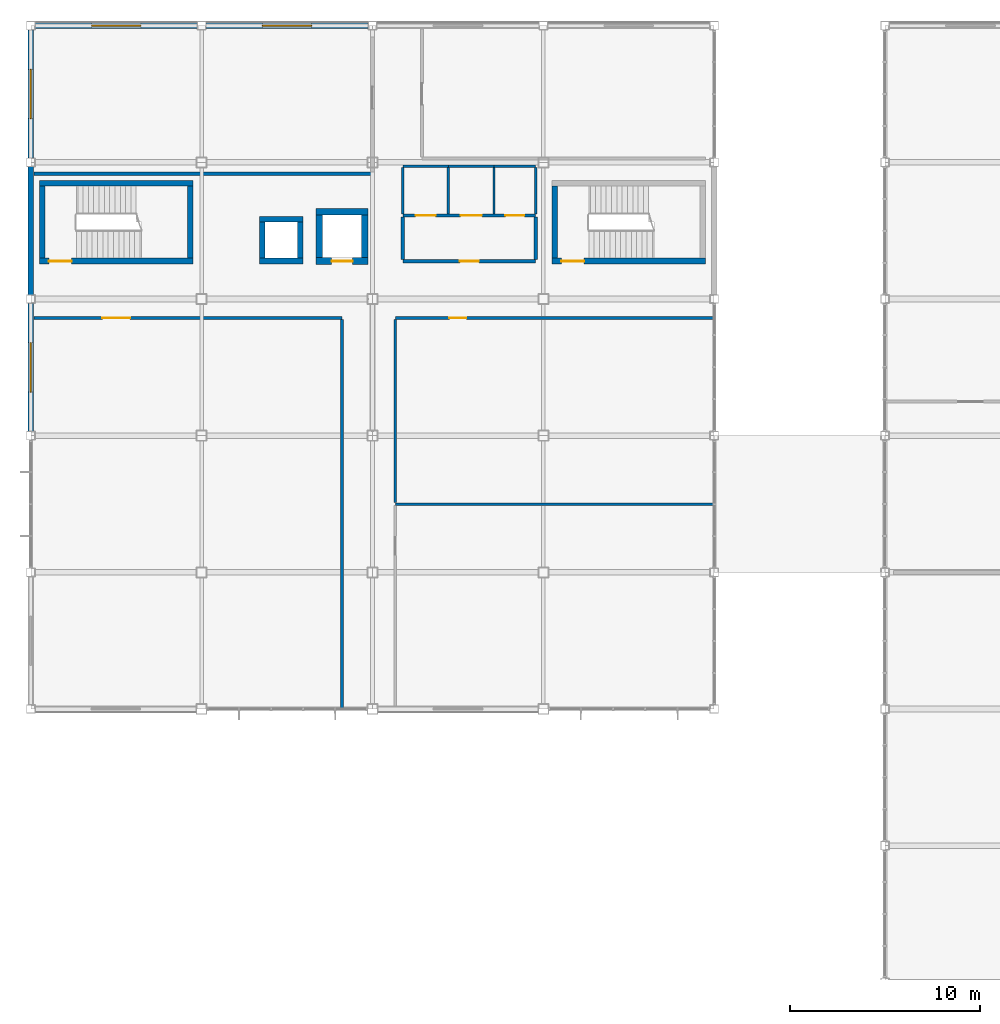
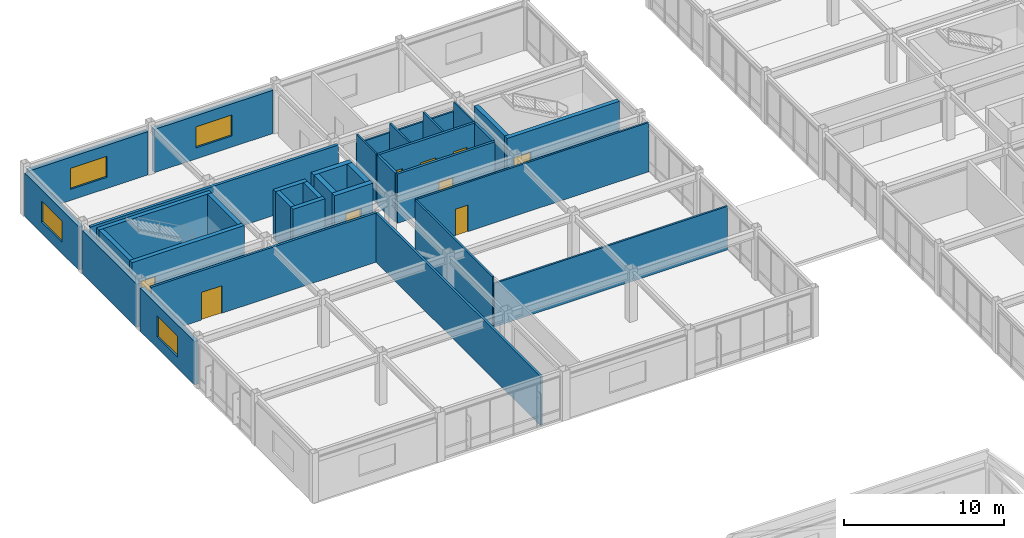
# One storey, part 95 of 113: 36 walls, 9 doors, 4 windows, 13 openings.
"""IFC4 building model written with IfcOpenShell, lengths in metres."""

from ifc_helpers import new_model, si_unit, direction, frame, frame_2d, origin, place, context, subcontext, project, spatial, rectangle, extrude, material, layer, layer_set, type_object, element, fill, save


model = new_model("IFC4")

# Units and contexts
model_context = context("Model", 3, precision=1e-05, world=origin(), true_north=direction((0.0, 1.0)))
body_context = subcontext(model_context, "Body", "Model", "MODEL_VIEW")
ifc_project = project(units=[si_unit("LENGTHUNIT", "METRE"), si_unit("AREAUNIT", "SQUARE_METRE"), si_unit("VOLUMEUNIT", "CUBIC_METRE"), si_unit("PLANEANGLEUNIT", "RADIAN"), si_unit("MASSUNIT", "GRAM", prefix="KILO")], contexts=[model_context])

# Site, building, storey
site_placement = place(None, origin())
site = spatial("IfcSite", under=ifc_project, at=site_placement, CompositionType="ELEMENT")
building_placement = place(site_placement, origin())
building = spatial("IfcBuilding", under=site, at=building_placement, Name="Kazanami Central Library", CompositionType="ELEMENT")
storey_placement = place(building_placement, frame((0.0, 0.0, 8.800048828125)))
storey = spatial("IfcBuildingStorey", under=building, at=storey_placement, Name="L03", CompositionType="ELEMENT", Elevation=8.800048828125)

# Wall, opening, window
ifc_material_1 = material(Name="Concrete Fc36 (36 MPa)", Category="concrete")
ifc_layer_1 = layer(ifc_material_1, 0.219970703125, Name="Concrete Fc36 (36 MPa)")
ifc_material_2 = material(Name="Extruded Polystyrene XPS", Category="earth")
ifc_layer_2 = layer(ifc_material_2, 0.050048828125, Name="Extruded Polystyrene XPS")
ifc_material_3 = material(Name="Honed Inada Granite", Category="masonry")
ifc_layer_3 = layer(ifc_material_3, 0.030029296875, Name="Honed Inada Granite")
ifc_layer_set_1 = layer_set([ifc_layer_1, ifc_layer_2, ifc_layer_3], Name="Concrete Fc36 (36 MPa)")
wall_type_1 = type_object("IfcWallType", Name="WAL-EW-300", PredefinedType="STANDARD", material=ifc_layer_set_1)
wall_1_placement = place(storey_placement, frame((0.0, 72.22509765625, 0.0), z_axis=(0.0, 0.0, 1.0), x_axis=(0.0, 1.0, 0.0)))
wall_1 = element("IfcWall", 1, at=wall_1_placement, inside=storey, type_object=wall_type_1, Name="Exterior Facade Wall EW-300 L03 W-1-10", PredefinedType="STANDARD", context=body_context, shape_type="SweptSolid", body=[
    extrude(rectangle(XDim=6.75, YDim=0.300048828125, at=frame_2d((3.375, 0.0))), origin(), (0.0, 0.0, 1.0), 3.294921875),
])
opening_1_placement = place(wall_1_placement, frame((2.074951171875, 0.0, 0.85009765625)))
opening_1 = element("IfcOpeningElement", 2, at=opening_1_placement, cuts=wall_1, Name="Opening WN-13", PredefinedType="OPENING", context=body_context, shape_type="SweptSolid", body=[
    extrude(rectangle(XDim=2.60009765625, YDim=1.60009765625, at=frame_2d((1.300048828125, 0.800048828125))), frame((0.0, 0.162109375, 0.0), z_axis=(0.0, -1.0, 0.0), x_axis=(1.0, 0.0, 0.0)), (0.0, 0.0, 1.0), 0.323974609375),
])
ifc_material_4 = material(Name="Low-E Insulated Triple Glass", Category="glass")
window_type = type_object("IfcWindowType", Name="WIN-WN-13", PartitioningType="DOUBLE_PANEL_VERTICAL", PredefinedType="WINDOW", material=ifc_material_4)
window_1_placement = place(opening_1_placement, origin())
window_1 = element("IfcWindow", 3, at=window_1_placement, inside=storey, type_object=window_type, Name="Facade Window WN-13 L03 W-1-10", OverallHeight=1.60009765625, OverallWidth=2.60009765625, PartitioningType="DOUBLE_PANEL_VERTICAL", PredefinedType="WINDOW", context=body_context, shape_type="SweptSolid", body=[
    extrude(rectangle(XDim=2.60009765625, YDim=1.60009765625, at=frame_2d((1.300048828125, 0.800048828125))), frame((0.0, 0.030029296875, 0.0), z_axis=(0.0, -1.0, 0.0), x_axis=(1.0, 0.0, 0.0)), (0.0, 0.0, 1.0), 0.06005859375),
])
fill(opening_1, window_1)

# Wall
wall_2_placement = place(storey_placement, frame((0.0, 79.425048828125, 0.0), z_axis=(0.0, 0.0, 1.0), x_axis=(0.0, 1.0, 0.0)))
element("IfcWall", 4, at=wall_2_placement, inside=storey, type_object=wall_type_1, Name="Exterior Facade Wall EW-300 L03 W-1-11", PredefinedType="STANDARD", context=body_context, shape_type="SweptSolid", body=[
    extrude(rectangle(XDim=6.75, YDim=0.300048828125, at=frame_2d((3.375, 0.0))), origin(), (0.0, 0.0, 1.0), 3.294921875),
])

# Wall, opening, window
wall_3_placement = place(storey_placement, frame((0.0, 86.625, 0.0), z_axis=(0.0, 0.0, 1.0), x_axis=(0.0, 1.0, 0.0)))
wall_3 = element("IfcWall", 5, at=wall_3_placement, inside=storey, type_object=wall_type_1, Name="Exterior Facade Wall EW-300 L03 W-1-12", PredefinedType="STANDARD", context=body_context, shape_type="SweptSolid", body=[
    extrude(rectangle(XDim=6.75, YDim=0.300048828125, at=frame_2d((3.375, 0.0))), origin(), (0.0, 0.0, 1.0), 3.294921875),
])
opening_2_placement = place(wall_3_placement, frame((2.074951171875, 0.0, 0.85009765625)))
opening_2 = element("IfcOpeningElement", 6, at=opening_2_placement, cuts=wall_3, Name="Opening WN-13", PredefinedType="OPENING", context=body_context, shape_type="SweptSolid", body=[
    extrude(rectangle(XDim=2.60009765625, YDim=1.60009765625, at=frame_2d((1.300048828125, 0.800048828125))), frame((0.0, 0.162109375, 0.0), z_axis=(0.0, -1.0, 0.0), x_axis=(1.0, 0.0, 0.0)), (0.0, 0.0, 1.0), 0.323974609375),
])
window_2_placement = place(opening_2_placement, origin())
window_2 = element("IfcWindow", 7, at=window_2_placement, inside=storey, type_object=window_type, Name="Facade Window WN-13 L03 W-1-12", OverallHeight=1.60009765625, OverallWidth=2.60009765625, PartitioningType="DOUBLE_PANEL_VERTICAL", PredefinedType="WINDOW", context=body_context, shape_type="SweptSolid", body=[
    extrude(rectangle(XDim=2.60009765625, YDim=1.60009765625, at=frame_2d((1.300048828125, 0.800048828125))), frame((0.0, 0.030029296875, 0.0), z_axis=(0.0, -1.0, 0.0), x_axis=(1.0, 0.0, 0.0)), (0.0, 0.0, 1.0), 0.06005859375),
])
fill(opening_2, window_2)

ifc_layer_4 = layer(ifc_material_1, 0.239990234375, Name="Concrete Fc36 (36 MPa)")
ifc_layer_5 = layer(ifc_material_2, 0.050048828125, Name="Extruded Polystyrene XPS")
ifc_layer_6 = layer(ifc_material_3, 0.030029296875, Name="Honed Inada Granite")
ifc_layer_set_2 = layer_set([ifc_layer_4, ifc_layer_5, ifc_layer_6], Name="Concrete Fc36 (36 MPa)")
wall_type_2 = type_object("IfcWallType", Name="WAL-EW-320", PredefinedType="STANDARD", material=ifc_layer_set_2)
wall_4_placement = place(storey_placement, frame((8.77490234375, 93.60009765625, 0.0), z_axis=(0.0, 0.0, 1.0), x_axis=(-1.0, 0.0, 0.0)))
wall_4 = element("IfcWall", 8, at=wall_4_placement, inside=storey, type_object=wall_type_2, Name="Exterior Facade Wall EW-320 L03 N-O-00", PredefinedType="STANDARD", context=body_context, shape_type="SweptSolid", body=[
    extrude(rectangle(XDim=8.5498046875, YDim=0.320068359375, at=frame_2d((4.27490234375, 0.0))), origin(), (0.0, 0.0, 1.0), 3.294921875),
])
opening_3_placement = place(wall_4_placement, frame((2.97509765625, 0.0, 0.85009765625)))
opening_3 = element("IfcOpeningElement", 9, at=opening_3_placement, cuts=wall_4, Name="Opening WN-13", PredefinedType="OPENING", context=body_context, shape_type="SweptSolid", body=[
    extrude(rectangle(XDim=2.60009765625, YDim=1.60009765625, at=frame_2d((1.300048828125, 0.800048828125))), frame((0.0, 0.171875, 0.0), z_axis=(0.0, -1.0, 0.0), x_axis=(1.0, 0.0, 0.0)), (0.0, 0.0, 1.0), 0.343994140625),
])
window_3_placement = place(opening_3_placement, origin())
window_3 = element("IfcWindow", 10, at=window_3_placement, inside=storey, type_object=window_type, Name="Facade Window WN-13 L03 N-O-00", OverallHeight=1.60009765625, OverallWidth=2.60009765625, PartitioningType="DOUBLE_PANEL_VERTICAL", PredefinedType="WINDOW", context=body_context, shape_type="SweptSolid", body=[
    extrude(rectangle(XDim=2.60009765625, YDim=1.60009765625, at=frame_2d((1.300048828125, 0.800048828125))), frame((0.0, 0.030029296875, 0.0), z_axis=(0.0, -1.0, 0.0), x_axis=(1.0, 0.0, 0.0)), (0.0, 0.0, 1.0), 0.06005859375),
])
fill(opening_3, window_3)

wall_5_placement = place(storey_placement, frame((17.77490234375, 93.60009765625, 0.0), z_axis=(0.0, 0.0, 1.0), x_axis=(-1.0, 0.0, 0.0)))
wall_5 = element("IfcWall", 11, at=wall_5_placement, inside=storey, type_object=wall_type_2, Name="Exterior Facade Wall EW-320 L03 N-O-01", PredefinedType="STANDARD", context=body_context, shape_type="SweptSolid", body=[
    extrude(rectangle(XDim=8.5498046875, YDim=0.320068359375, at=frame_2d((4.27490234375, 0.0))), origin(), (0.0, 0.0, 1.0), 3.294921875),
])
opening_4_placement = place(wall_5_placement, frame((2.97509765625, 0.0, 0.85009765625)))
opening_4 = element("IfcOpeningElement", 12, at=opening_4_placement, cuts=wall_5, Name="Opening WN-13", PredefinedType="OPENING", context=body_context, shape_type="SweptSolid", body=[
    extrude(rectangle(XDim=2.60009765625, YDim=1.60009765625, at=frame_2d((1.300048828125, 0.800048828125))), frame((0.0, 0.171875, 0.0), z_axis=(0.0, -1.0, 0.0), x_axis=(1.0, 0.0, 0.0)), (0.0, 0.0, 1.0), 0.343994140625),
])
window_4_placement = place(opening_4_placement, origin())
window_4 = element("IfcWindow", 13, at=window_4_placement, inside=storey, type_object=window_type, Name="Facade Window WN-13 L03 N-O-01", OverallHeight=1.60009765625, OverallWidth=2.60009765625, PartitioningType="DOUBLE_PANEL_VERTICAL", PredefinedType="WINDOW", context=body_context, shape_type="SweptSolid", body=[
    extrude(rectangle(XDim=2.60009765625, YDim=1.60009765625, at=frame_2d((1.300048828125, 0.800048828125))), frame((0.0, 0.030029296875, 0.0), z_axis=(0.0, -1.0, 0.0), x_axis=(1.0, 0.0, 0.0)), (0.0, 0.0, 1.0), 0.06005859375),
])
fill(opening_4, window_4)

# Wall, opening, door
ifc_material_5 = material(Name="Fire-Resistant Gypsum Board GB-F", Category="gypsum")
ifc_layer_7 = layer(ifc_material_5, 0.1650390625, Name="Fire-Resistant Gypsum Board GB-F")
ifc_layer_set_3 = layer_set([ifc_layer_7], Name="Fire-Resistant Gypsum Board GB-F")
wall_type_3 = type_object("IfcWallType", Name="WAL-FW-165", PredefinedType="PARTITIONING", material=ifc_layer_set_3)
wall_6_placement = place(storey_placement, frame((0.155029296875, 78.199951171875, 0.0), z_axis=(0.0, 0.0, 1.0), x_axis=(1.0, 0.0, 0.0)))
wall_6 = element("IfcWall", 14, at=wall_6_placement, inside=storey, type_object=wall_type_3, Name="Interior Partition FW-165 L03 RM-15 (North)", PredefinedType="PARTITIONING", context=body_context, shape_type="SweptSolid", body=[
    extrude(rectangle(XDim=16.244873046875, YDim=0.1650390625, at=frame_2d((8.12255859375, 0.0))), origin(), (0.0, 0.0, 1.0), 3.744873046875),
])
opening_5_placement = place(wall_6_placement, frame((3.6201171875, 0.0, 0.0)))
opening_5 = element("IfcOpeningElement", 15, at=opening_5_placement, cuts=wall_6, Name="Opening FD30-6", PredefinedType="OPENING", context=body_context, shape_type="SweptSolid", body=[
    extrude(rectangle(XDim=1.449951171875, YDim=2.10009765625, at=frame_2d((0.72509765625, 1.050048828125))), frame((0.0, 0.094482421875, 0.0), z_axis=(0.0, -1.0, 0.0), x_axis=(1.0, 0.0, 0.0)), (0.0, 0.0, 1.0), 0.18896484375),
])
ifc_material_6 = material(Name="Cold-Rolled Steel SPCC", Category="steel")
door_type_1 = type_object("IfcDoorType", Name="DOR-FD30-6", OperationType="DOUBLE_DOOR_SINGLE_SWING", PredefinedType="DOOR", material=ifc_material_6)
door_1_placement = place(opening_5_placement, origin())
door_1 = element("IfcDoor", 16, at=door_1_placement, inside=storey, type_object=door_type_1, Name="Interior Door FD30-6 L03 RM-15", OperationType="DOUBLE_DOOR_SINGLE_SWING", OverallHeight=2.10009765625, OverallWidth=1.449951171875, PredefinedType="DOOR", context=body_context, shape_type="SweptSolid", body=[
    extrude(rectangle(XDim=1.449951171875, YDim=2.10009765625, at=frame_2d((0.72509765625, 1.050048828125))), frame((0.0, 0.02490234375, 0.0), z_axis=(0.0, -1.0, 0.0), x_axis=(1.0, 0.0, 0.0)), (0.0, 0.0, 1.0), 0.050048828125),
])
fill(opening_5, door_1)

# Wall
wall_7_placement = place(storey_placement, frame((16.39990234375, 57.635009765625, 0.0), z_axis=(0.0, 0.0, 1.0), x_axis=(0.0, 1.0, 0.0)))
element("IfcWall", 17, at=wall_7_placement, inside=storey, type_object=wall_type_3, Name="Interior Partition FW-165 L03 RM-15 (East)", PredefinedType="PARTITIONING", context=body_context, shape_type="SweptSolid", body=[
    extrude(rectangle(XDim=20.47509765625, YDim=0.1650390625, at=frame_2d((10.237548828125, 0.0))), origin(), (0.0, 0.0, 1.0), 3.744873046875),
])

# Wall, opening, door
ifc_layer_8 = layer(ifc_material_5, 0.179931640625, Name="Fire-Resistant Gypsum Board GB-F")
ifc_layer_set_4 = layer_set([ifc_layer_8], Name="Fire-Resistant Gypsum Board GB-F")
wall_type_4 = type_object("IfcWallType", Name="WAL-FW-180", PredefinedType="PARTITIONING", material=ifc_layer_set_4)
wall_8_placement = place(storey_placement, frame((19.60009765625, 81.199951171875, 0.0), z_axis=(0.0, 0.0, 1.0), x_axis=(1.0, 0.0, 0.0)))
wall_8 = element("IfcWall", 18, at=wall_8_placement, inside=storey, type_object=wall_type_4, Name="Interior Partition FW-180 L03 WC-V4-LOB (South)", PredefinedType="PARTITIONING", context=body_context, shape_type="SweptSolid", body=[
    extrude(rectangle(XDim=7.0, YDim=0.179931640625, at=frame_2d((3.5, 0.0))), origin(), (0.0, 0.0, 1.0), 3.744873046875),
])
opening_6_placement = place(wall_8_placement, frame((3.0, 0.0, 0.0)))
opening_6 = element("IfcOpeningElement", 19, at=opening_6_placement, cuts=wall_8, Name="Opening FD30-2", PredefinedType="OPENING", context=body_context, shape_type="SweptSolid", body=[
    extrude(rectangle(XDim=1.0, YDim=2.080078125, at=frame_2d((0.5, 1.0400390625))), frame((0.0, 0.10205078125, 0.0), z_axis=(0.0, -1.0, 0.0), x_axis=(1.0, 0.0, 0.0)), (0.0, 0.0, 1.0), 0.203857421875),
])
door_type_2 = type_object("IfcDoorType", Name="DOR-FD30-2", OperationType="NOTDEFINED", PredefinedType="DOOR", material=ifc_material_6)
door_2_placement = place(opening_6_placement, origin())
door_2 = element("IfcDoor", 20, at=door_2_placement, inside=storey, type_object=door_type_2, Name="Interior Door FD30-2 L03 WC-V4-LOB", OperationType="SINGLE_SWING_RIGHT", OverallHeight=2.080078125, OverallWidth=1.0, PredefinedType="DOOR", context=body_context, shape_type="SweptSolid", body=[
    extrude(rectangle(XDim=1.0, YDim=2.080078125, at=frame_2d((0.5, 1.0400390625))), frame((0.0, 0.02490234375, 0.0), z_axis=(0.0, -1.0, 0.0), x_axis=(1.0, 0.0, 0.0)), (0.0, 0.0, 1.0), 0.050048828125),
])
fill(opening_6, door_2)

# Wall, openings, doors
wall_9_placement = place(storey_placement, frame((19.60009765625, 83.60009765625, 0.0), z_axis=(0.0, 0.0, 1.0), x_axis=(1.0, 0.0, 0.0)))
wall_9 = element("IfcWall", 21, at=wall_9_placement, inside=storey, type_object=wall_type_4, Name="Interior Partition FW-180 L03 WC-V4-LOB (North)", PredefinedType="PARTITIONING", context=body_context, shape_type="SweptSolid", body=[
    extrude(rectangle(XDim=7.0, YDim=0.179931640625, at=frame_2d((3.5, 0.0))), origin(), (0.0, 0.0, 1.0), 3.744873046875),
])
opening_7_placement = place(wall_9_placement, frame((0.675048828125, 0.0, 0.0)))
opening_7 = element("IfcOpeningElement", 22, at=opening_7_placement, cuts=wall_9, Name="Opening FD30-1", PredefinedType="OPENING", context=body_context, shape_type="SweptSolid", body=[
    extrude(rectangle(XDim=1.050048828125, YDim=2.10009765625, at=frame_2d((0.52490234375, 1.050048828125))), frame((0.0, 0.10205078125, 0.0), z_axis=(0.0, -1.0, 0.0), x_axis=(1.0, 0.0, 0.0)), (0.0, 0.0, 1.0), 0.203857421875),
])
opening_8_placement = place(wall_9_placement, frame((3.0400390625, 0.0, 0.0)))
opening_8 = element("IfcOpeningElement", 23, at=opening_8_placement, cuts=wall_9, Name="Opening FD30-8", PredefinedType="OPENING", context=body_context, shape_type="SweptSolid", body=[
    extrude(rectangle(XDim=1.1201171875, YDim=2.080078125, at=frame_2d((0.56005859375, 1.0400390625))), frame((0.0, 0.10205078125, 0.0), z_axis=(0.0, -1.0, 0.0), x_axis=(1.0, 0.0, 0.0)), (0.0, 0.0, 1.0), 0.203857421875),
])
opening_9_placement = place(wall_9_placement, frame((5.39990234375, 0.0, 0.0)))
opening_9 = element("IfcOpeningElement", 24, at=opening_9_placement, cuts=wall_9, Name="Opening FD30-2", PredefinedType="OPENING", context=body_context, shape_type="SweptSolid", body=[
    extrude(rectangle(XDim=1.0, YDim=2.080078125, at=frame_2d((0.5, 1.0400390625))), frame((0.0, 0.10205078125, 0.0), z_axis=(0.0, -1.0, 0.0), x_axis=(1.0, 0.0, 0.0)), (0.0, 0.0, 1.0), 0.203857421875),
])
door_type_3 = type_object("IfcDoorType", Name="DOR-FD30-1", OperationType="NOTDEFINED", PredefinedType="DOOR", material=ifc_material_6)
door_3_placement = place(opening_7_placement, origin())
door_3 = element("IfcDoor", 25, at=door_3_placement, inside=storey, type_object=door_type_3, Name="Interior Door FD30-1 L03 WC-V4-M", OperationType="SINGLE_SWING_LEFT", OverallHeight=2.10009765625, OverallWidth=1.050048828125, PredefinedType="DOOR", context=body_context, shape_type="SweptSolid", body=[
    extrude(rectangle(XDim=1.050048828125, YDim=2.10009765625, at=frame_2d((0.52490234375, 1.050048828125))), frame((0.0, 0.02490234375, 0.0), z_axis=(0.0, -1.0, 0.0), x_axis=(1.0, 0.0, 0.0)), (0.0, 0.0, 1.0), 0.050048828125),
])
fill(opening_7, door_3)
door_4_placement = place(opening_9_placement, origin())
door_4 = element("IfcDoor", 26, at=door_4_placement, inside=storey, type_object=door_type_2, Name="Interior Door FD30-2 L03 WC-V4-ACC", OperationType="SINGLE_SWING_LEFT", OverallHeight=2.080078125, OverallWidth=1.0, PredefinedType="DOOR", context=body_context, shape_type="SweptSolid", body=[
    extrude(rectangle(XDim=1.0, YDim=2.080078125, at=frame_2d((0.5, 1.0400390625))), frame((0.0, 0.02490234375, 0.0), z_axis=(0.0, -1.0, 0.0), x_axis=(1.0, 0.0, 0.0)), (0.0, 0.0, 1.0), 0.050048828125),
])
fill(opening_9, door_4)
door_type_4 = type_object("IfcDoorType", Name="DOR-FD30-8", OperationType="NOTDEFINED", PredefinedType="DOOR", material=ifc_material_6)
door_5_placement = place(opening_8_placement, origin())
door_5 = element("IfcDoor", 27, at=door_5_placement, inside=storey, type_object=door_type_4, Name="Interior Door FD30-8 L03 WC-V4-F", OperationType="SINGLE_SWING_RIGHT", OverallHeight=2.080078125, OverallWidth=1.1201171875, PredefinedType="DOOR", context=body_context, shape_type="SweptSolid", body=[
    extrude(rectangle(XDim=1.1201171875, YDim=2.080078125, at=frame_2d((0.56005859375, 1.0400390625))), frame((0.0, 0.02490234375, 0.0), z_axis=(0.0, -1.0, 0.0), x_axis=(1.0, 0.0, 0.0)), (0.0, 0.0, 1.0), 0.050048828125),
])
fill(opening_8, door_5)

# Walls
for number, where, z_axis, x_axis, name in (
    (28, (19.60009765625, 81.2900390625, 0.0), (0.0, 0.0, 1.0), (0.0, 1.0, 0.0), "Interior Partition FW-180 L03 WC-V4-LOB (West)"),
    (29, (26.60009765625, 81.2900390625, 0.0), (0.0, 0.0, 1.0), (0.0, 1.0, 0.0), "Interior Partition FW-180 L03 WC-V4-LOB (East)"),
):
    element("IfcWall", number, at=place(storey_placement, frame(where, z_axis=z_axis, x_axis=x_axis)), inside=storey, type_object=wall_type_4, Name=name, PredefinedType="PARTITIONING", context=body_context, shape_type="SweptSolid", body=[
        extrude(rectangle(XDim=2.219970703125, YDim=0.179931640625, at=frame_2d((1.10986328125, 0.0))), origin(), (0.0, 0.0, 1.0), 3.744873046875),
    ])
ifc_layer_9 = layer(ifc_material_5, 0.199951171875, Name="Fire-Resistant Gypsum Board GB-F")
ifc_layer_set_5 = layer_set([ifc_layer_9], Name="Fire-Resistant Gypsum Board GB-F")
wall_type_5 = type_object("IfcWallType", Name="WAL-FW-200", PredefinedType="PARTITIONING", material=ifc_layer_set_5)
wall_10_placement = place(storey_placement, frame((0.155029296875, 85.800048828125, 0.0), z_axis=(0.0, 0.0, 1.0), x_axis=(1.0, 0.0, 0.0)))
element("IfcWall", 30, at=wall_10_placement, inside=storey, type_object=wall_type_5, Name="Interior Partition FW-200 L03 RM-18 (South)", PredefinedType="PARTITIONING", context=body_context, shape_type="SweptSolid", body=[
    extrude(rectangle(XDim=17.844970703125, YDim=0.199951171875, at=frame_2d((8.92236328125, 0.0))), origin(), (0.0, 0.0, 1.0), 3.744873046875),
])
ifc_material_7 = material(Name="Gypsum Plasterboard GB-R", Category="gypsum")
ifc_layer_10 = layer(ifc_material_7, 0.125, Name="Gypsum Plasterboard GB-R")
ifc_layer_set_6 = layer_set([ifc_layer_10], Name="Gypsum Plasterboard GB-R")
wall_type_6 = type_object("IfcWallType", Name="WAL-PW-125", PredefinedType="PARTITIONING", material=ifc_layer_set_6)
wall_11_placement = place(storey_placement, frame((19.60009765625, 86.199951171875, 0.0), z_axis=(0.0, 0.0, 1.0), x_axis=(1.0, 0.0, 0.0)))
element("IfcWall", 31, at=wall_11_placement, inside=storey, type_object=wall_type_6, Name="Interior Partition PW-125 L03 WC-V4-M (North)", PredefinedType="PARTITIONING", context=body_context, shape_type="SweptSolid", body=[
    extrude(rectangle(XDim=2.39990234375, YDim=0.125, at=frame_2d((1.199951171875, 0.0))), origin(), (0.0, 0.0, 1.0), 3.02490234375),
])
for number, where, z_axis, x_axis, name in (
    (32, (19.60009765625, 83.68994140625, 0.0), (0.0, 0.0, 1.0), (0.0, 1.0, 0.0), "Interior Partition PW-125 L03 WC-V4-M (West)"),
    (33, (22.0, 83.68994140625, 0.0), (0.0, 0.0, 1.0), (0.0, 1.0, 0.0), "Interior Partition PW-125 L03 WC-V4-M (East)"),
):
    element("IfcWall", number, at=place(storey_placement, frame(where, z_axis=z_axis, x_axis=x_axis)), inside=storey, type_object=wall_type_6, Name=name, PredefinedType="PARTITIONING", context=body_context, shape_type="SweptSolid", body=[
        extrude(rectangle(XDim=2.447509765625, YDim=0.125, at=frame_2d((1.2236328125, 0.0))), origin(), (0.0, 0.0, 1.0), 3.744873046875),
    ])
wall_12_placement = place(storey_placement, frame((22.0, 86.199951171875, 0.0), z_axis=(0.0, 0.0, 1.0), x_axis=(1.0, 0.0, 0.0)))
element("IfcWall", 34, at=wall_12_placement, inside=storey, type_object=wall_type_6, Name="Interior Partition PW-125 L03 WC-V4-F (North)", PredefinedType="PARTITIONING", context=body_context, shape_type="SweptSolid", body=[
    extrude(rectangle(XDim=2.39990234375, YDim=0.125, at=frame_2d((1.199951171875, 0.0))), origin(), (0.0, 0.0, 1.0), 3.02490234375),
])
wall_13_placement = place(storey_placement, frame((24.39990234375, 83.68994140625, 0.0), z_axis=(0.0, 0.0, 1.0), x_axis=(0.0, 1.0, 0.0)))
element("IfcWall", 35, at=wall_13_placement, inside=storey, type_object=wall_type_6, Name="Interior Partition PW-125 L03 WC-V4-F (East)", PredefinedType="PARTITIONING", context=body_context, shape_type="SweptSolid", body=[
    extrude(rectangle(XDim=2.447509765625, YDim=0.125, at=frame_2d((1.2236328125, 0.0))), origin(), (0.0, 0.0, 1.0), 3.744873046875),
])
wall_14_placement = place(storey_placement, frame((24.39990234375, 86.199951171875, 0.0), z_axis=(0.0, 0.0, 1.0), x_axis=(1.0, 0.0, 0.0)))
element("IfcWall", 36, at=wall_14_placement, inside=storey, type_object=wall_type_6, Name="Interior Partition PW-125 L03 WC-V4-ACC (North)", PredefinedType="PARTITIONING", context=body_context, shape_type="SweptSolid", body=[
    extrude(rectangle(XDim=2.2001953125, YDim=0.125, at=frame_2d((1.10009765625, 0.0))), origin(), (0.0, 0.0, 1.0), 3.02490234375),
])
wall_15_placement = place(storey_placement, frame((26.60009765625, 83.68994140625, 0.0), z_axis=(0.0, 0.0, 1.0), x_axis=(0.0, 1.0, 0.0)))
element("IfcWall", 37, at=wall_15_placement, inside=storey, type_object=wall_type_6, Name="Interior Partition PW-125 L03 WC-V4-ACC (East)", PredefinedType="PARTITIONING", context=body_context, shape_type="SweptSolid", body=[
    extrude(rectangle(XDim=2.447509765625, YDim=0.125, at=frame_2d((1.2236328125, 0.0))), origin(), (0.0, 0.0, 1.0), 3.744873046875),
])
ifc_layer_11 = layer(ifc_material_7, 0.135009765625, Name="Gypsum Plasterboard GB-R")
ifc_layer_set_7 = layer_set([ifc_layer_11], Name="Gypsum Plasterboard GB-R")
wall_type_7 = type_object("IfcWallType", Name="WAL-PW-135", PredefinedType="PARTITIONING", material=ifc_layer_set_7)
wall_16_placement = place(storey_placement, frame((19.199951171875, 68.39990234375, 0.0), z_axis=(0.0, 0.0, 1.0), x_axis=(1.0, 0.0, 0.0)))
element("IfcWall", 38, at=wall_16_placement, inside=storey, type_object=wall_type_7, Name="Interior Partition PW-135 L03 RM-16 (North)", PredefinedType="PARTITIONING", context=body_context, shape_type="SweptSolid", body=[
    extrude(rectangle(XDim=16.76513671875, YDim=0.135009765625, at=frame_2d((8.382568359375, 0.0))), origin(), (0.0, 0.0, 1.0), 3.31494140625),
])

# Wall, opening, door
wall_17_placement = place(storey_placement, frame((19.199951171875, 78.199951171875, 0.0), z_axis=(0.0, 0.0, 1.0), x_axis=(1.0, 0.0, 0.0)))
wall_17 = element("IfcWall", 39, at=wall_17_placement, inside=storey, type_object=wall_type_7, Name="Interior Partition PW-135 L03 RM-17 (North)", PredefinedType="PARTITIONING", context=body_context, shape_type="SweptSolid", body=[
    extrude(rectangle(XDim=16.76513671875, YDim=0.135009765625, at=frame_2d((8.382568359375, 0.0))), origin(), (0.0, 0.0, 1.0), 3.744873046875),
])
opening_10_placement = place(wall_17_placement, frame((2.85009765625, 0.0, 0.0)))
opening_10 = element("IfcOpeningElement", 40, at=opening_10_placement, cuts=wall_17, Name="Opening ID-03", PredefinedType="OPENING", context=body_context, shape_type="SweptSolid", body=[
    extrude(rectangle(XDim=0.89990234375, YDim=2.02001953125, at=frame_2d((0.449951171875, 1.010009765625))), frame((0.0, 0.07958984375, 0.0), z_axis=(0.0, -1.0, 0.0), x_axis=(1.0, 0.0, 0.0)), (0.0, 0.0, 1.0), 0.158935546875),
])
ifc_material_8 = material(Name="White Oak Hardwood", Category="wood")
door_type_5 = type_object("IfcDoorType", Name="DOR-ID-03", OperationType="NOTDEFINED", PredefinedType="DOOR", material=ifc_material_8)
door_6_placement = place(opening_10_placement, origin())
door_6 = element("IfcDoor", 41, at=door_6_placement, inside=storey, type_object=door_type_5, Name="Interior Door ID-03 L03 RM-17", OperationType="SINGLE_SWING_RIGHT", OverallHeight=2.02001953125, OverallWidth=0.89990234375, PredefinedType="DOOR", context=body_context, shape_type="SweptSolid", body=[
    extrude(rectangle(XDim=0.89990234375, YDim=2.02001953125, at=frame_2d((0.449951171875, 1.010009765625))), frame((0.0, 0.02490234375, 0.0), z_axis=(0.0, -1.0, 0.0), x_axis=(1.0, 0.0, 0.0)), (0.0, 0.0, 1.0), 0.050048828125),
])
fill(opening_10, door_6)

# Wall
wall_18_placement = place(storey_placement, frame((19.199951171875, 68.489990234375, 0.0), z_axis=(0.0, 0.0, 1.0), x_axis=(0.0, 1.0, 0.0)))
element("IfcWall", 42, at=wall_18_placement, inside=storey, type_object=wall_type_7, Name="Interior Partition PW-135 L03 RM-17 (West)", PredefinedType="PARTITIONING", context=body_context, shape_type="SweptSolid", body=[
    extrude(rectangle(XDim=9.6201171875, YDim=0.135009765625, at=frame_2d((4.81005859375, 0.0))), origin(), (0.0, 0.0, 1.0), 3.744873046875),
])

# Wall, opening, door
ifc_layer_12 = layer(ifc_material_1, 0.300048828125, Name="Concrete Fc36 (36 MPa)")
ifc_layer_set_8 = layer_set([ifc_layer_12], Name="Concrete Fc36 (36 MPa)")
wall_type_8 = type_object("IfcWallType", Name="WAL-SW-300", PredefinedType="SHEAR", material=ifc_layer_set_8)
wall_19_placement = place(storey_placement, frame((0.449951171875, 81.199951171875, 0.0), z_axis=(0.0, 0.0, 1.0), x_axis=(1.0, 0.0, 0.0)))
wall_19 = element("IfcWall", 43, at=wall_19_placement, inside=storey, type_object=wall_type_8, Name="Stair Core Wall ST-05 South L03", PredefinedType="SHEAR", context=body_context, shape_type="SweptSolid", body=[
    extrude(rectangle(XDim=8.10009765625, YDim=0.300048828125, at=frame_2d((4.050048828125, 0.0))), origin(), (0.0, 0.0, 1.0), 3.744873046875),
])
opening_11_placement = place(wall_19_placement, frame((0.5, 0.0, 0.0)))
opening_11 = element("IfcOpeningElement", 44, at=opening_11_placement, cuts=wall_19, Name="Opening FD60-1", PredefinedType="OPENING", context=body_context, shape_type="SweptSolid", body=[
    extrude(rectangle(XDim=1.199951171875, YDim=2.10009765625, at=frame_2d((0.60009765625, 1.050048828125))), frame((0.0, 0.162109375, 0.0), z_axis=(0.0, -1.0, 0.0), x_axis=(1.0, 0.0, 0.0)), (0.0, 0.0, 1.0), 0.323974609375),
])
door_type_6 = type_object("IfcDoorType", Name="DOR-FD60-1", OperationType="NOTDEFINED", PredefinedType="DOOR", material=ifc_material_6)
door_7_placement = place(opening_11_placement, origin())
door_7 = element("IfcDoor", 45, at=door_7_placement, inside=storey, type_object=door_type_6, Name="Escape Stair ST-05 Fire Door L03", OperationType="SINGLE_SWING_LEFT", OverallHeight=2.10009765625, OverallWidth=1.199951171875, PredefinedType="DOOR", context=body_context, shape_type="SweptSolid", body=[
    extrude(rectangle(XDim=1.199951171875, YDim=2.10009765625, at=frame_2d((0.60009765625, 1.050048828125))), frame((0.0, 0.02490234375, 0.0), z_axis=(0.0, -1.0, 0.0), x_axis=(1.0, 0.0, 0.0)), (0.0, 0.0, 1.0), 0.050048828125),
])
fill(opening_11, door_7)

# Walls
wall_20_placement = place(storey_placement, frame((0.449951171875, 85.300048828125, 0.0), z_axis=(0.0, 0.0, 1.0), x_axis=(1.0, 0.0, 0.0)))
element("IfcWall", 46, at=wall_20_placement, inside=storey, type_object=wall_type_8, Name="Stair Core Wall ST-05 North L03", PredefinedType="SHEAR", context=body_context, shape_type="SweptSolid", body=[
    extrude(rectangle(XDim=8.10009765625, YDim=0.300048828125, at=frame_2d((4.050048828125, 0.0))), origin(), (0.0, 0.0, 1.0), 3.744873046875),
])
for number, where, z_axis, x_axis, name in (
    (47, (0.60009765625, 81.35009765625, 0.0), (0.0, 0.0, 1.0), (0.0, 1.0, 0.0), "Stair Core Wall ST-05 West L03"),
    (48, (8.39990234375, 81.35009765625, 0.0), (0.0, 0.0, 1.0), (0.0, 1.0, 0.0), "Stair Core Wall ST-05 East L03"),
):
    element("IfcWall", number, at=place(storey_placement, frame(where, z_axis=z_axis, x_axis=x_axis)), inside=storey, type_object=wall_type_8, Name=name, PredefinedType="SHEAR", context=body_context, shape_type="SweptSolid", body=[
        extrude(rectangle(XDim=3.7998046875, YDim=0.300048828125, at=frame_2d((1.89990234375, 0.0))), origin(), (0.0, 0.0, 1.0), 3.744873046875),
    ])

# Wall, opening, door
wall_21_placement = place(storey_placement, frame((27.449951171875, 81.199951171875, 0.0), z_axis=(0.0, 0.0, 1.0), x_axis=(1.0, 0.0, 0.0)))
wall_21 = element("IfcWall", 49, at=wall_21_placement, inside=storey, type_object=wall_type_8, Name="Stair Core Wall ST-06 South L03", PredefinedType="SHEAR", context=body_context, shape_type="SweptSolid", body=[
    extrude(rectangle(XDim=8.10009765625, YDim=0.300048828125, at=frame_2d((4.050048828125, 0.0))), origin(), (0.0, 0.0, 1.0), 3.744873046875),
])
opening_12_placement = place(wall_21_placement, frame((0.5, 0.0, 0.0)))
opening_12 = element("IfcOpeningElement", 50, at=opening_12_placement, cuts=wall_21, Name="Opening FD60-1", PredefinedType="OPENING", context=body_context, shape_type="SweptSolid", body=[
    extrude(rectangle(XDim=1.199951171875, YDim=2.10009765625, at=frame_2d((0.60009765625, 1.050048828125))), frame((0.0, 0.162109375, 0.0), z_axis=(0.0, -1.0, 0.0), x_axis=(1.0, 0.0, 0.0)), (0.0, 0.0, 1.0), 0.323974609375),
])
door_8_placement = place(opening_12_placement, origin())
door_8 = element("IfcDoor", 51, at=door_8_placement, inside=storey, type_object=door_type_6, Name="Escape Stair ST-06 Fire Door L03", OperationType="SINGLE_SWING_LEFT", OverallHeight=2.10009765625, OverallWidth=1.199951171875, PredefinedType="DOOR", context=body_context, shape_type="SweptSolid", body=[
    extrude(rectangle(XDim=1.199951171875, YDim=2.10009765625, at=frame_2d((0.60009765625, 1.050048828125))), frame((0.0, 0.02490234375, 0.0), z_axis=(0.0, -1.0, 0.0), x_axis=(1.0, 0.0, 0.0)), (0.0, 0.0, 1.0), 0.050048828125),
])
fill(opening_12, door_8)

# Walls
wall_22_placement = place(storey_placement, frame((27.60009765625, 81.35009765625, 0.0), z_axis=(0.0, 0.0, 1.0), x_axis=(0.0, 1.0, 0.0)))
element("IfcWall", 52, at=wall_22_placement, inside=storey, type_object=wall_type_8, Name="Stair Core Wall ST-06 West L03", PredefinedType="SHEAR", context=body_context, shape_type="SweptSolid", body=[
    extrude(rectangle(XDim=3.7998046875, YDim=0.300048828125, at=frame_2d((1.89990234375, 0.0))), origin(), (0.0, 0.0, 1.0), 3.744873046875),
])
for number, where, z_axis, x_axis, name in (
    (53, (12.050048828125, 81.199951171875, 0.0), (0.0, 0.0, 1.0), (1.0, 0.0, 0.0), "Service Riser Wall RSR-V4-A S L03"),
    (54, (12.050048828125, 83.39990234375, 0.0), (0.0, 0.0, 1.0), (1.0, 0.0, 0.0), "Service Riser Wall RSR-V4-A N L03"),
):
    element("IfcWall", number, at=place(storey_placement, frame(where, z_axis=z_axis, x_axis=x_axis)), inside=storey, type_object=wall_type_8, Name=name, PredefinedType="SHEAR", context=body_context, shape_type="SweptSolid", body=[
        extrude(rectangle(XDim=2.300048828125, YDim=0.300048828125, at=frame_2d((1.14990234375, 0.0))), origin(), (0.0, 0.0, 1.0), 3.744873046875),
    ])
for number, where, z_axis, x_axis, name in (
    (55, (12.199951171875, 81.35009765625, 0.0), (0.0, 0.0, 1.0), (0.0, 1.0, 0.0), "Service Riser Wall RSR-V4-A W L03"),
    (56, (14.199951171875, 81.35009765625, 0.0), (0.0, 0.0, 1.0), (0.0, 1.0, 0.0), "Service Riser Wall RSR-V4-A E L03"),
):
    element("IfcWall", number, at=place(storey_placement, frame(where, z_axis=z_axis, x_axis=x_axis)), inside=storey, type_object=wall_type_8, Name=name, PredefinedType="SHEAR", context=body_context, shape_type="SweptSolid", body=[
        extrude(rectangle(XDim=1.89990234375, YDim=0.300048828125, at=frame_2d((0.949951171875, 0.0))), origin(), (0.0, 0.0, 1.0), 3.744873046875),
    ])

# Wall, opening, door
ifc_layer_13 = layer(ifc_material_1, 0.35009765625, Name="Concrete Fc36 (36 MPa)")
ifc_layer_set_9 = layer_set([ifc_layer_13], Name="Concrete Fc36 (36 MPa)")
wall_type_9 = type_object("IfcWallType", Name="WAL-SW-350", PredefinedType="SHEAR", material=ifc_layer_set_9)
wall_23_placement = place(storey_placement, frame((15.02490234375, 81.199951171875, 0.0), z_axis=(0.0, 0.0, 1.0), x_axis=(1.0, 0.0, 0.0)))
wall_23 = element("IfcWall", 57, at=wall_23_placement, inside=storey, type_object=wall_type_9, Name="Lift Shaft Wall EL-P4 South L03", PredefinedType="SHEAR", context=body_context, shape_type="SweptSolid", body=[
    extrude(rectangle(XDim=2.75, YDim=0.35009765625, at=frame_2d((1.375, 0.0))), origin(), (0.0, 0.0, 1.0), 3.744873046875),
])
opening_13_placement = place(wall_23_placement, frame((0.824951171875, 0.0, 0.0)))
opening_13 = element("IfcOpeningElement", 58, at=opening_13_placement, cuts=wall_23, Name="Opening LD-01", PredefinedType="OPENING", context=body_context, shape_type="SweptSolid", body=[
    extrude(rectangle(XDim=1.10009765625, YDim=2.10009765625, at=frame_2d((0.550048828125, 1.050048828125))), frame((0.0, 0.18701171875, 0.0), z_axis=(0.0, -1.0, 0.0), x_axis=(1.0, 0.0, 0.0)), (0.0, 0.0, 1.0), 0.3740234375),
])
ifc_material_9 = material(Name="Stainless Steel SUS304", Category="steel")
door_type_7 = type_object("IfcDoorType", Name="DOR-LD-01", OperationType="SLIDING_TO_LEFT", PredefinedType="DOOR", material=ifc_material_9)
door_9_placement = place(opening_13_placement, origin())
door_9 = element("IfcDoor", 59, at=door_9_placement, inside=storey, type_object=door_type_7, Name="Lift Landing Sliding Door EL-P4 (L03)", OperationType="SLIDING_TO_LEFT", OverallHeight=2.10009765625, OverallWidth=1.10009765625, PredefinedType="DOOR", context=body_context, shape_type="SweptSolid", body=[
    extrude(rectangle(XDim=1.10009765625, YDim=2.10009765625, at=frame_2d((0.550048828125, 1.050048828125))), frame((0.0, 0.02490234375, 0.0), z_axis=(0.0, -1.0, 0.0), x_axis=(1.0, 0.0, 0.0)), (0.0, 0.0, 1.0), 0.050048828125),
])
fill(opening_13, door_9)

# Walls
wall_24_placement = place(storey_placement, frame((15.02490234375, 83.800048828125, 0.0), z_axis=(0.0, 0.0, 1.0), x_axis=(1.0, 0.0, 0.0)))
element("IfcWall", 60, at=wall_24_placement, inside=storey, type_object=wall_type_9, Name="Lift Shaft Wall EL-P4 North L03", PredefinedType="SHEAR", context=body_context, shape_type="SweptSolid", body=[
    extrude(rectangle(XDim=2.75, YDim=0.35009765625, at=frame_2d((1.375, 0.0))), origin(), (0.0, 0.0, 1.0), 3.744873046875),
])
for number, where, z_axis, x_axis, name in (
    (61, (15.199951171875, 81.375, 0.0), (0.0, 0.0, 1.0), (0.0, 1.0, 0.0), "Lift Shaft Wall EL-P4 West L03"),
    (62, (17.60009765625, 81.375, 0.0), (0.0, 0.0, 1.0), (0.0, 1.0, 0.0), "Lift Shaft Wall EL-P4 East L03"),
):
    element("IfcWall", number, at=place(storey_placement, frame(where, z_axis=z_axis, x_axis=x_axis)), inside=storey, type_object=wall_type_9, Name=name, PredefinedType="SHEAR", context=body_context, shape_type="SweptSolid", body=[
        extrude(rectangle(XDim=2.25, YDim=0.35009765625, at=frame_2d((1.125, 0.0))), origin(), (0.0, 0.0, 1.0), 3.744873046875),
    ])

save(model, "model.ifc")
